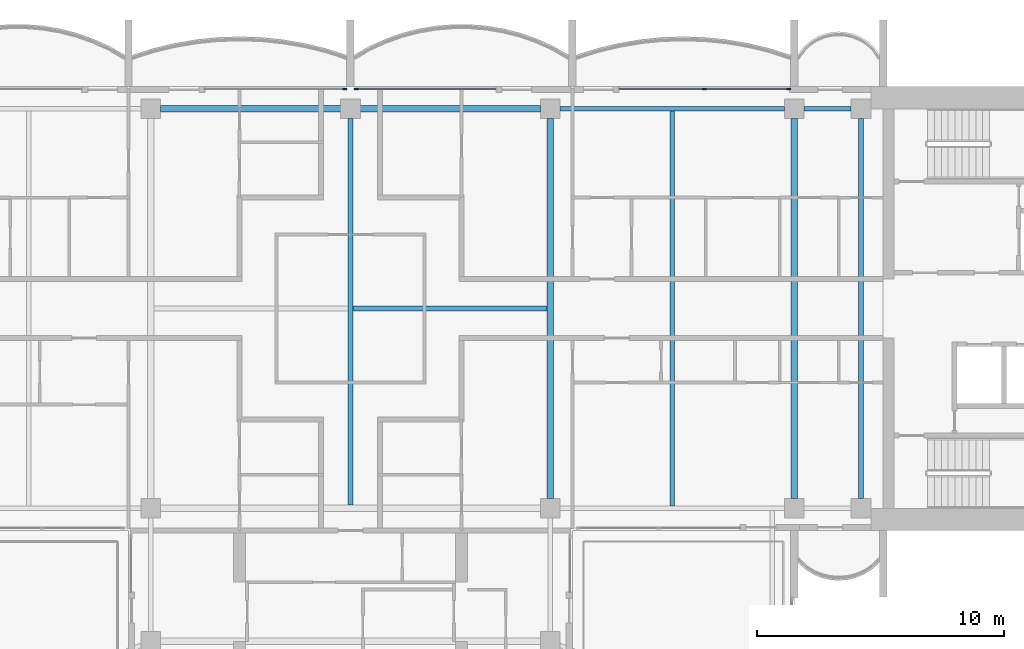
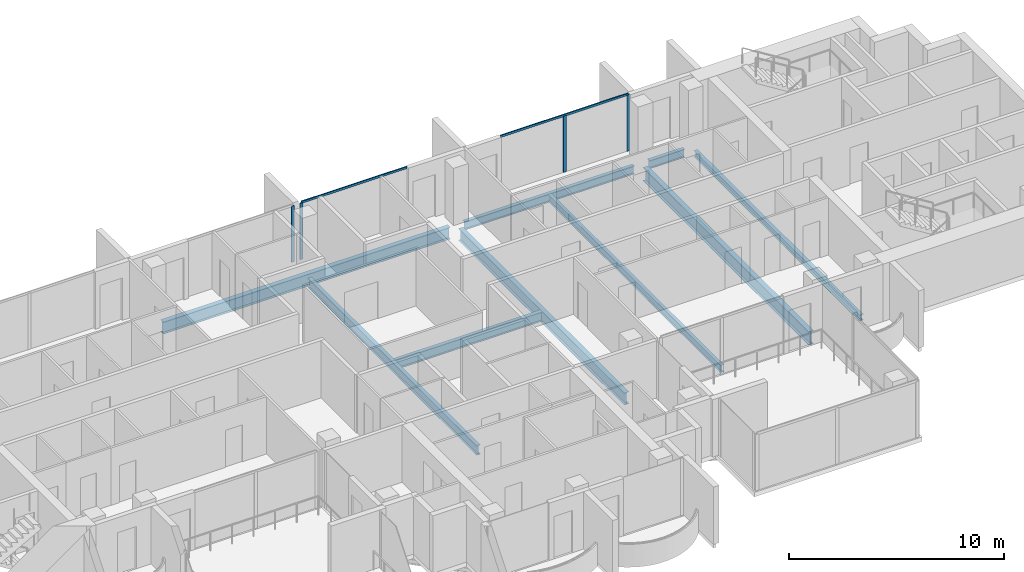
# One storey, part 4 of 16: 9 beams, 6 members, 3 elements without a shape of their own.
"""IFC4 building model written with IfcOpenShell, lengths in metres."""

from ifc_helpers import new_model, si_unit, direction, frame, origin, origin_2d, place, context, subcontext, project, spatial, rectangle, i_section, extrude, material, material_profile, profile_set, type_object, element, aggregate, save


model = new_model("IFC4")

# Units and contexts
model_context = context("Model", 3, precision=1e-05, world=origin(), true_north=direction((0.0, 1.0)))
body_context = subcontext(model_context, "Body", "Model", "MODEL_VIEW")
ifc_project = project(units=[si_unit("LENGTHUNIT", "METRE"), si_unit("AREAUNIT", "SQUARE_METRE"), si_unit("VOLUMEUNIT", "CUBIC_METRE"), si_unit("PLANEANGLEUNIT", "RADIAN"), si_unit("MASSUNIT", "GRAM", prefix="KILO")], contexts=[model_context])

# Site, building, storey
site_placement = place(None, origin())
site = spatial("IfcSite", under=ifc_project, at=site_placement, CompositionType="ELEMENT")
building_placement = place(site_placement, origin())
building = spatial("IfcBuilding", under=site, at=building_placement, Name="Perihelion Cross Residences", CompositionType="ELEMENT")
storey_placement = place(building_placement, frame((0.0, 0.0, 236.0)))
storey = spatial("IfcBuildingStorey", under=building, at=storey_placement, Name="L59", CompositionType="ELEMENT", Elevation=236.0)

# Curtain wall, members
ifc_material_1 = material(Name="Bronze anodised aluminium, tinted glazing", Category="aluminium")
curtain_wall_type = type_object("IfcCurtainWallType", Name="CW1", PredefinedType="NOTDEFINED", material=ifc_material_1)
curtain_wall_1_placement = place(storey_placement, origin())
curtain_wall_1 = element("IfcCurtainWall", 1, at=curtain_wall_1_placement, inside=storey, type_object=curtain_wall_type, Name="Curtain wall CW1 L59 east side north bay 2", PredefinedType="NOTDEFINED")
ifc_material_2 = material(Name="Bronze anodised aluminium", Category="aluminium")
ifc_material_profile_1 = material_profile(ifc_material_2, rectangle(XDim=0.06005859375, YDim=0.159912109375, at=origin_2d()), Name="CW1 mullion")
ifc_profile_set_1 = profile_set([ifc_material_profile_1], Name="Bronze anodised aluminium")
member_type_1 = type_object("IfcMemberType", Name="CW1 mullion", PredefinedType="MULLION", material=ifc_profile_set_1)
member_1_placement = place(storey_placement, frame((17.77001953125, 8.89990234375, 0.0), z_axis=(0.0, 0.0, 1.0), x_axis=(0.0, -1.0, 0.0)))
member_1 = element("IfcMember", 2, at=member_1_placement, type_object=member_type_1, Name="CW1 mullion 1", PredefinedType="MULLION", context=body_context, shape_type="SweptSolid", body=[
    extrude(rectangle(XDim=0.06005859375, YDim=0.159912109375, at=origin_2d()), origin(), (0.0, 0.0, 1.0), 3.18994140625),
])
member_2_placement = place(storey_placement, frame((14.35009765625, 8.89990234375, 0.0), z_axis=(0.0, 0.0, 1.0), x_axis=(0.0, -1.0, 0.0)))
member_2 = element("IfcMember", 3, at=member_2_placement, type_object=member_type_1, Name="CW1 mullion 2", PredefinedType="MULLION", context=body_context, shape_type="SweptSolid", body=[
    extrude(rectangle(XDim=0.06005859375, YDim=0.159912109375, at=origin_2d()), origin(), (0.0, 0.0, 1.0), 3.18994140625),
])

# Curtain wall, member
curtain_wall_2_placement = place(storey_placement, origin())
curtain_wall_2 = element("IfcCurtainWall", 4, at=curtain_wall_2_placement, inside=storey, type_object=curtain_wall_type, Name="Curtain wall CW1 L59 north side east bay 1", PredefinedType="NOTDEFINED")
member_3_placement = place(storey_placement, frame((0.22998046875, 8.89990234375, 0.0), z_axis=(0.0, 0.0, 1.0), x_axis=(0.0, -1.0, 0.0)))
member_3 = element("IfcMember", 5, at=member_3_placement, type_object=member_type_1, Name="CW1 mullion 2", PredefinedType="MULLION", context=body_context, shape_type="SweptSolid", body=[
    extrude(rectangle(XDim=0.06005859375, YDim=0.159912109375, at=origin_2d()), origin(), (0.0, 0.0, 1.0), 3.18994140625),
])

curtain_wall_3_placement = place(storey_placement, origin())
curtain_wall_3 = element("IfcCurtainWall", 6, at=curtain_wall_3_placement, inside=storey, type_object=curtain_wall_type, Name="Curtain wall CW1 L59 north side east bay 2", PredefinedType="NOTDEFINED")
member_4_placement = place(storey_placement, frame((-0.22998046875, 8.89990234375, 0.0), z_axis=(0.0, 0.0, 1.0), x_axis=(0.0, -1.0, 0.0)))
member_4 = element("IfcMember", 7, at=member_4_placement, type_object=member_type_1, Name="CW1 mullion 1", PredefinedType="MULLION", context=body_context, shape_type="SweptSolid", body=[
    extrude(rectangle(XDim=0.06005859375, YDim=0.159912109375, at=origin_2d()), origin(), (0.0, 0.0, 1.0), 3.18994140625),
])
aggregate(curtain_wall_3, [member_4])

# Member
ifc_material_3 = material(Name="Bronze anodised aluminium", Category="aluminium")
ifc_material_profile_2 = material_profile(ifc_material_3, rectangle(XDim=0.06005859375, YDim=0.1201171875, at=origin_2d()), Name="CW1 transom")
ifc_profile_set_2 = profile_set([ifc_material_profile_2], Name="Bronze anodised aluminium")
member_type_2 = type_object("IfcMemberType", Name="CW1 transom", PredefinedType="USERDEFINED", material=ifc_profile_set_2)
member_5_placement = place(storey_placement, frame((17.77001953125, 8.89990234375, 3.219970703125), z_axis=(-1.0, 0.0, 0.0), x_axis=(0.0, -1.0, 0.0)))
member_5 = element("IfcMember", 8, at=member_5_placement, type_object=member_type_2, Name="CW1 head transom", ObjectType="TRANSOM", PredefinedType="USERDEFINED", context=body_context, shape_type="SweptSolid", body=[
    extrude(rectangle(XDim=0.06005859375, YDim=0.1201171875, at=origin_2d()), origin(), (0.0, 0.0, 1.0), 6.8701171875),
])

aggregate(curtain_wall_1, [member_1, member_2, member_5])

member_6_placement = place(storey_placement, frame((5.89990234375, 8.89990234375, 3.219970703125), z_axis=(-1.0, 0.0, 0.0), x_axis=(0.0, -1.0, 0.0)))
member_6 = element("IfcMember", 9, at=member_6_placement, type_object=member_type_2, Name="CW1 head transom", ObjectType="TRANSOM", PredefinedType="USERDEFINED", context=body_context, shape_type="SweptSolid", body=[
    extrude(rectangle(XDim=0.06005859375, YDim=0.1201171875, at=origin_2d()), origin(), (0.0, 0.0, 1.0), 5.669921875),
])

aggregate(curtain_wall_2, [member_3, member_6])

# Beams
ifc_material_4 = material(Name="Steel S355", Category="steel")
ifc_material_profile_3 = material_profile(ifc_material_4, i_section(OverallWidth=0.205078125, OverallDepth=0.35302734375, WebThickness=0.009521484375, FlangeThickness=0.016845703125, at=origin_2d()), Name="W360x79")
ifc_profile_set_3 = profile_set([ifc_material_profile_3], Name="Steel S355")
beam_type_1 = type_object("IfcBeamType", Name="Core edge beam W360x79", PredefinedType="BEAM", material=ifc_profile_set_3)
beam_1_placement = place(storey_placement, frame((20.699951171875, -7.699951171875, -0.426513671875), z_axis=(0.0, 1.0, 0.0), x_axis=(-1.0, 0.0, 0.0)))
element("IfcBeam", 10, at=beam_1_placement, inside=storey, type_object=beam_type_1, Name="Core edge beam TB7 L59 no. 2", PredefinedType="BEAM", context=body_context, shape_type="SweptSolid", body=[
    extrude(i_section(OverallWidth=0.205078125, OverallDepth=0.35302734375, WebThickness=0.009521484375, FlangeThickness=0.016845703125, at=origin_2d()), origin(), (0.0, 0.0, 1.0), 15.39990234375),
])
ifc_material_5 = material(Name="Steel S355", Category="steel")
ifc_material_profile_4 = material_profile(ifc_material_5, i_section(OverallWidth=0.194091796875, OverallDepth=0.469970703125, WebThickness=0.0126953125, FlangeThickness=0.0205078125, at=origin_2d()), Name="W460x106")
ifc_profile_set_4 = profile_set([ifc_material_profile_4], Name="Steel S355")
beam_type_2 = type_object("IfcBeamType", Name="Edge beam W460x106", PredefinedType="SPANDREL", material=ifc_profile_set_4)
beam_2_placement = place(storey_placement, frame((20.300048828125, 8.10009765625, -0.485107421875), z_axis=(-1.0, 0.0, 0.0), x_axis=(0.0, -1.0, 0.0)))
element("IfcBeam", 11, at=beam_2_placement, inside=storey, type_object=beam_type_2, Name="Edge beam SB5 L59 no. 10", PredefinedType="SPANDREL", context=body_context, shape_type="SweptSolid", body=[
    extrude(i_section(OverallWidth=0.194091796875, OverallDepth=0.469970703125, WebThickness=0.0126953125, FlangeThickness=0.0205078125, at=origin_2d()), origin(), (0.0, 0.0, 1.0), 1.900146484375),
])
beam_3_placement = place(storey_placement, frame((17.60009765625, 8.10009765625, -0.485107421875), z_axis=(-1.0, 0.0, 0.0), x_axis=(0.0, -1.0, 0.0)))
element("IfcBeam", 12, at=beam_3_placement, inside=storey, type_object=beam_type_2, Name="Edge beam SB5 L59 no. 9", PredefinedType="SPANDREL", context=body_context, shape_type="SweptSolid", body=[
    extrude(i_section(OverallWidth=0.194091796875, OverallDepth=0.469970703125, WebThickness=0.0126953125, FlangeThickness=0.0205078125, at=origin_2d()), origin(), (0.0, 0.0, 1.0), 9.10009765625),
])
ifc_material_6 = material(Name="Steel S355", Category="steel")
ifc_material_profile_5 = material_profile(ifc_material_6, i_section(OverallWidth=0.26708984375, OverallDepth=0.75390625, WebThickness=0.01318359375, FlangeThickness=0.01708984375, at=origin_2d()), Name="W760x147")
ifc_profile_set_5 = profile_set([ifc_material_profile_5], Name="Steel S355")
beam_type_3 = type_object("IfcBeamType", Name="Floor girder W760x147", PredefinedType="BEAM", material=ifc_profile_set_5)
beam_4_placement = place(storey_placement, frame((18.0, -7.699951171875, -0.626953125), z_axis=(0.0, 1.0, 0.0), x_axis=(-1.0, 0.0, 0.0)))
element("IfcBeam", 13, at=beam_4_placement, inside=storey, type_object=beam_type_3, Name="Girder G5 L59 no. 2", PredefinedType="BEAM", context=body_context, shape_type="SweptSolid", body=[
    extrude(i_section(OverallWidth=0.26708984375, OverallDepth=0.75390625, WebThickness=0.01318359375, FlangeThickness=0.01708984375, at=origin_2d()), origin(), (0.0, 0.0, 1.0), 15.39990234375),
])
ifc_material_7 = material(Name="Steel S355", Category="steel")
ifc_material_profile_6 = material_profile(ifc_material_7, i_section(OverallWidth=0.177978515625, OverallDepth=0.406005859375, WebThickness=0.0078125, FlangeThickness=0.0126953125, at=origin_2d()), Name="W410x60")
ifc_profile_set_6 = profile_set([ifc_material_profile_6], Name="Steel S355")
beam_type_4 = type_object("IfcBeamType", Name="Floor joist W410x60", PredefinedType="JOIST", material=ifc_profile_set_6)
beam_5_placement = place(storey_placement, frame((13.050048828125, -8.0029296875, -0.452880859375), z_axis=(0.0, 1.0, 0.0), x_axis=(-1.0, 0.0, 0.0)))
element("IfcBeam", 14, at=beam_5_placement, inside=storey, type_object=beam_type_4, Name="Joist J6 L59 no. 2", PredefinedType="JOIST", context=body_context, shape_type="SweptSolid", body=[
    extrude(i_section(OverallWidth=0.177978515625, OverallDepth=0.406005859375, WebThickness=0.0078125, FlangeThickness=0.0126953125, at=origin_2d()), origin(), (0.0, 0.0, 1.0), 16.005859375),
])
ifc_material_8 = material(Name="Steel S355", Category="steel")
ifc_material_profile_7 = material_profile(ifc_material_8, i_section(OverallWidth=0.208984375, OverallDepth=0.532958984375, WebThickness=0.01025390625, FlangeThickness=0.015625, at=origin_2d()), Name="W530x92")
ifc_profile_set_7 = profile_set([ifc_material_profile_7], Name="Steel S355")
beam_type_5 = type_object("IfcBeamType", Name="Hub cross beam W530x92", PredefinedType="BEAM", material=ifc_profile_set_7)
beam_6_placement = place(storey_placement, frame((0.0, -7.972900390625, -0.5166015625), z_axis=(0.0, 1.0, 0.0), x_axis=(-1.0, 0.0, 0.0)))
element("IfcBeam", 15, at=beam_6_placement, inside=storey, type_object=beam_type_5, Name="Hub cross beam XB5 L59 no. 1", PredefinedType="BEAM", context=body_context, shape_type="SweptSolid", body=[
    extrude(i_section(OverallWidth=0.208984375, OverallDepth=0.532958984375, WebThickness=0.01025390625, FlangeThickness=0.015625, at=origin_2d()), origin(), (0.0, 0.0, 1.0), 15.6728515625),
])
beam_7_placement = place(storey_placement, frame((0.1044921875, 0.0, -0.5166015625), z_axis=(1.0, 0.0, 0.0), x_axis=(0.0, 1.0, 0.0)))
element("IfcBeam", 16, at=beam_7_placement, inside=storey, type_object=beam_type_5, Name="Hub cross beam XB5 L59 2 no. 1", PredefinedType="BEAM", context=body_context, shape_type="SweptSolid", body=[
    extrude(i_section(OverallWidth=0.208984375, OverallDepth=0.532958984375, WebThickness=0.01025390625, FlangeThickness=0.015625, at=origin_2d()), origin(), (0.0, 0.0, 1.0), 7.868408203125),
])
ifc_material_9 = material(Name="Steel S355", Category="steel")
ifc_material_profile_8 = material_profile(ifc_material_9, i_section(OverallWidth=0.25390625, OverallDepth=0.677978515625, WebThickness=0.01171875, FlangeThickness=0.016357421875, at=origin_2d()), Name="W690x125")
ifc_profile_set_8 = profile_set([ifc_material_profile_8], Name="Steel S355")
beam_type_6 = type_object("IfcBeamType", Name="Hub ring girder W690x125", PredefinedType="BEAM", material=ifc_profile_set_8)
for number, where, z_axis, x_axis, name in (
    (17, (8.10009765625, -7.699951171875, -0.589111328125), (0.0, 1.0, 0.0), (-1.0, 0.0, 0.0), "Hub ring girder RG5 L59 no. 3"),
    (18, (7.699951171875, 8.10009765625, -0.589111328125), (-1.0, 0.0, 0.0), (0.0, -1.0, 0.0), "Hub ring girder RG5 L59 no. 4"),
):
    element("IfcBeam", number, at=place(storey_placement, frame(where, z_axis=z_axis, x_axis=x_axis)), inside=storey, type_object=beam_type_6, Name=name, PredefinedType="BEAM", context=body_context, shape_type="SweptSolid", body=[
        extrude(i_section(OverallWidth=0.25390625, OverallDepth=0.677978515625, WebThickness=0.01171875, FlangeThickness=0.016357421875, at=origin_2d()), origin(), (0.0, 0.0, 1.0), 15.39990234375),
    ])

save(model, "model.ifc")
